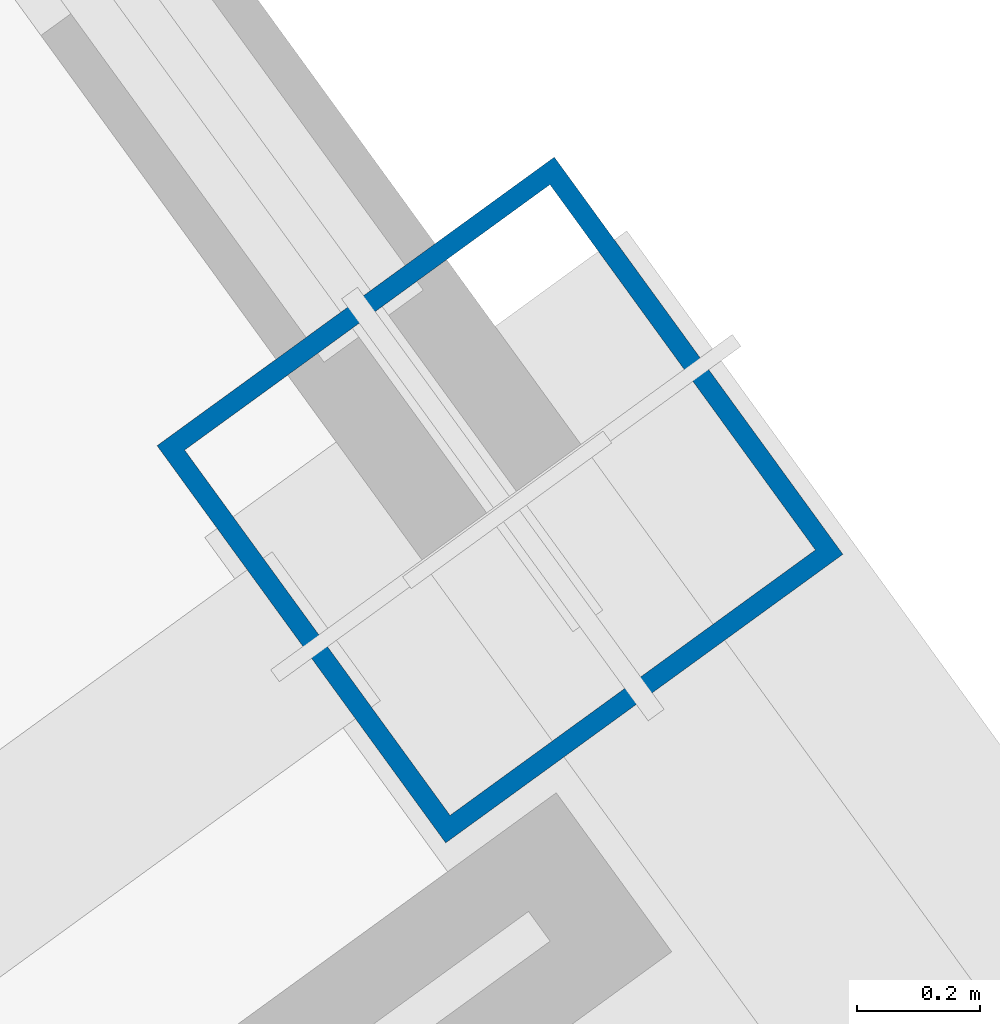
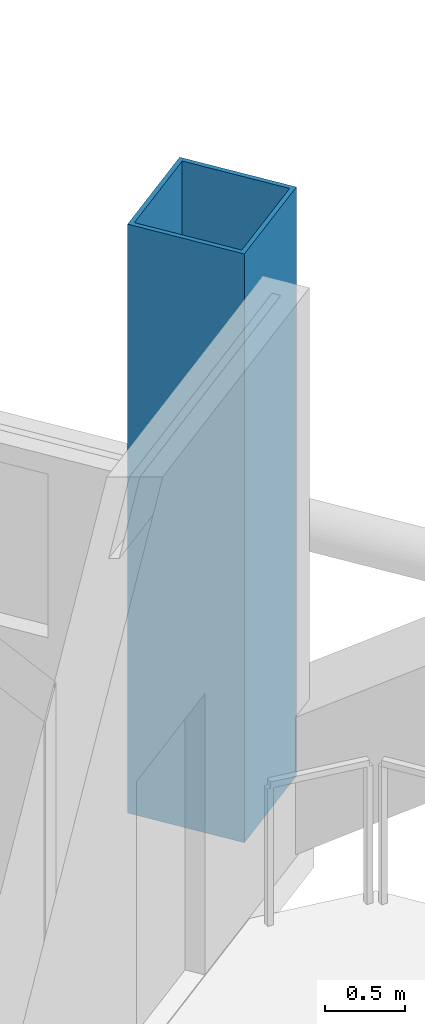
# One storey, part 4 of 34: 1 column.
"""IFC4 building model written with IfcOpenShell, lengths in metres."""

from ifc_helpers import new_model, si_unit, direction, frame, origin, origin_2d, place, context, subcontext, project, spatial, hollow_rectangle, extrude, source, transform, mapped, material, material_profile, profile_set, type_object, element, save


model = new_model("IFC4")

# Units and contexts
model_context = context("Model", 3, precision=1e-05, world=origin(), true_north=direction((0.0, 1.0)))
body_context = subcontext(model_context, "Body", "Model", "MODEL_VIEW")
ifc_project = project(units=[si_unit("LENGTHUNIT", "METRE"), si_unit("AREAUNIT", "SQUARE_METRE"), si_unit("VOLUMEUNIT", "CUBIC_METRE"), si_unit("PLANEANGLEUNIT", "RADIAN"), si_unit("MASSUNIT", "GRAM", prefix="KILO")], contexts=[model_context])

# Site, building, storey
site_placement = place(None, origin())
site = spatial("IfcSite", under=ifc_project, at=site_placement, CompositionType="ELEMENT")
building_placement = place(site_placement, origin())
building = spatial("IfcBuilding", under=site, at=building_placement, Name="Tlacorven Tower", CompositionType="ELEMENT")
storey_placement = place(building_placement, frame((0.0, 0.0, 229.199951171875)))
storey = spatial("IfcBuildingStorey", under=building, at=storey_placement, Name="L58", CompositionType="ELEMENT", Elevation=229.199951171875)

# Column
ifc_material = material(Name="Steel S460M", Category="steel")
ifc_material_profile = material_profile(ifc_material, hollow_rectangle(XDim=0.800048828125, YDim=0.800048828125, WallThickness=0.031982421875, at=origin_2d()), Name="BOX 800X800X32")
ifc_profile_set = profile_set([ifc_material_profile], Name="Steel S460M")
column_type = type_object("IfcColumnType", Name="COL-TWR-S3", PredefinedType="COLUMN", material=ifc_profile_set)
shared_shape = source(origin(), body_context, "Body", "SweptSolid", [
    extrude(hollow_rectangle(XDim=0.800048828125, YDim=0.800048828125, WallThickness=0.031982421875, at=origin_2d()), origin(), (0.0, 0.0, 1.0), 4.5),
])
column_placement = place(storey_placement, frame((67.267822265625, 23.353515625, 0.0), z_axis=(0.0, 0.0, 1.0), x_axis=(0.809016994375, 0.587785252292, 0.0)))
element("IfcColumn", 1, at=column_placement, inside=storey, type_object=column_type, Name="L58 column COL-L58-E4-1", PredefinedType="COLUMN", context=body_context, shape_type="MappedRepresentation", body=[
    mapped(shared_shape, transform((0.0, 0.0, 0.0), scale=1.0)),
])

save(model, "model.ifc")
